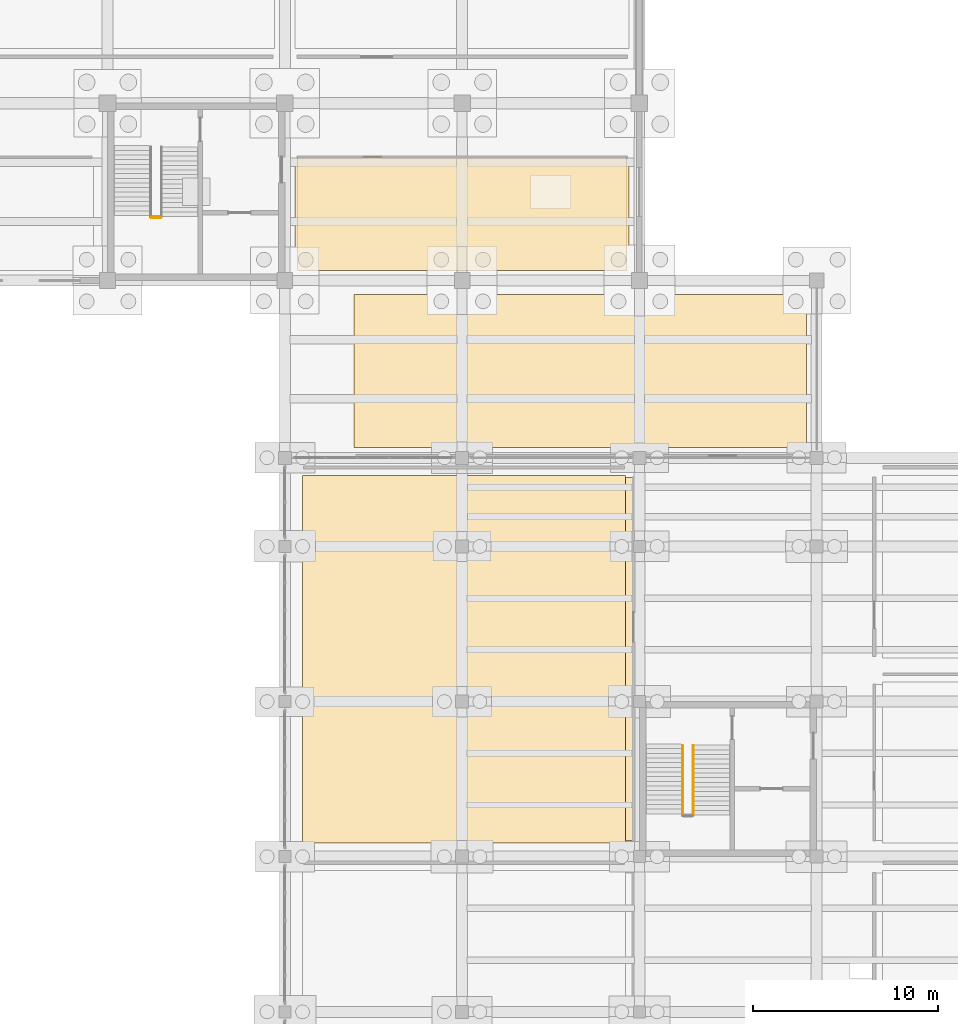
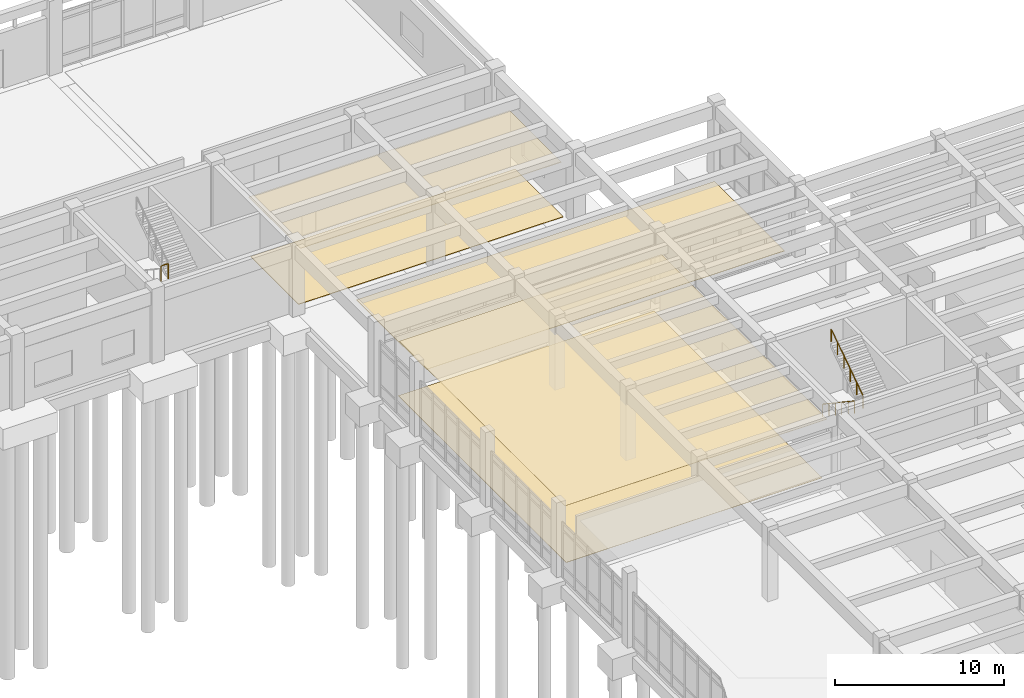
# One storey, part 100 of 102: 5 coverings, 3 railings.
"""IFC4 building model written with IfcOpenShell, lengths in metres."""

from ifc_helpers import new_model, si_unit, direction, frame, origin, origin_2d, place, context, subcontext, project, spatial, polyline, circle, outline, extrude, material, layer, layer_set, type_object, element, save


model = new_model("IFC4")

# Units and contexts
model_context = context("Model", 3, precision=1e-05, world=origin(), true_north=direction((0.0, 1.0)))
body_context = subcontext(model_context, "Body", "Model", "MODEL_VIEW")
ifc_project = project(units=[si_unit("LENGTHUNIT", "METRE"), si_unit("AREAUNIT", "SQUARE_METRE"), si_unit("VOLUMEUNIT", "CUBIC_METRE"), si_unit("PLANEANGLEUNIT", "RADIAN"), si_unit("MASSUNIT", "GRAM", prefix="KILO")], contexts=[model_context])

# Site, building, storey
site_placement = place(None, origin())
site = spatial("IfcSite", under=ifc_project, at=site_placement, CompositionType="ELEMENT")
building_placement = place(site_placement, origin())
building = spatial("IfcBuilding", under=site, at=building_placement, Name="Kolvemor Railside Polytechnic", CompositionType="ELEMENT")
storey_placement = place(building_placement, origin())
storey = spatial("IfcBuildingStorey", under=building, at=storey_placement, Name="L00", CompositionType="ELEMENT", Elevation=0.0)

# Coverings
ifc_material_1 = material(Name="Perforated acoustic mineral-fibre and timber-slat ceiling", Category="wood")
ifc_layer_1 = layer(ifc_material_1, 0.02490234375, Name="COV-CEIL-1")
ifc_layer_set_1 = layer_set([ifc_layer_1], Name="Perforated acoustic mineral-fibre and timber-slat ceiling")
covering_type_1 = type_object("IfcCoveringType", Name="COV-CEIL-1", PredefinedType="CEILING", material=ifc_layer_set_1)
covering_1_placement = place(storey_placement, frame((0.0, 0.0, 4.014892578125)))
element("IfcCovering", 1, at=covering_1_placement, inside=storey, type_object=covering_type_1, Name="Student Societies and Community Room Acoustic Ceiling", PredefinedType="CEILING", context=body_context, shape_type="SweptSolid", body=[
    extrude(outline(polyline([(135.35009765625, 60.8798828125), (153.280029296875, 60.8798828125), (153.280029296875, 80.52001953125), (135.35009765625, 80.52001953125), (135.35009765625, 60.8798828125)])), origin(), (0.0, 0.0, 1.0), 0.025146484375),
])
ifc_material_2 = material(Name="Perforated acoustic mineral-fibre and timber-slat ceiling", Category="wood")
ifc_layer_2 = layer(ifc_material_2, 0.0400390625, Name="COV-CEIL-4")
ifc_layer_set_2 = layer_set([ifc_layer_2], Name="Perforated acoustic mineral-fibre and timber-slat ceiling")
covering_type_2 = type_object("IfcCoveringType", Name="COV-CEIL-4", PredefinedType="CEILING", material=ifc_layer_set_2)
covering_2_placement = place(storey_placement, frame((0.0, 0.0, 4.0)))
element("IfcCovering", 2, at=covering_2_placement, inside=storey, type_object=covering_type_2, Name="Workshop Washrooms and Accessible WC L00-N Acoustic Ceiling", PredefinedType="CEILING", context=body_context, shape_type="SweptSolid", body=[
    extrude(outline(polyline([(135.080078125, 91.75), (152.919921875, 91.75), (152.919921875, 97.8798828125), (135.080078125, 97.8798828125), (135.080078125, 91.75)])), origin(), (0.0, 0.0, 1.0), 0.0400390625),
])
ifc_material_3 = material(Name="Polished coral-aggregate terrazzo and laboratory epoxy flooring")
ifc_layer_3 = layer(ifc_material_3, 0.02001953125, Name="COV-FLR-1")
ifc_layer_set_3 = layer_set([ifc_layer_3], Name="Polished coral-aggregate terrazzo and laboratory epoxy flooring")
covering_type_3 = type_object("IfcCoveringType", Name="COV-FLR-1", PredefinedType="FLOORING", material=ifc_layer_set_3)
covering_3_placement = place(storey_placement, origin())
element("IfcCovering", 3, at=covering_3_placement, inside=storey, type_object=covering_type_3, Name="Student Societies and Community Room Floor Finish", PredefinedType="FLOORING", context=body_context, shape_type="SweptSolid", body=[
    extrude(outline(polyline([(135.35009765625, 60.75), (152.85009765625, 60.75), (152.85009765625, 80.64990234375), (135.35009765625, 80.64990234375), (135.35009765625, 60.75)])), origin(), (0.0, 0.0, 1.0), 0.02001953125),
])
ifc_material_4 = material(Name="Polished coral-aggregate terrazzo and laboratory epoxy flooring")
ifc_layer_4 = layer(ifc_material_4, 0.02490234375, Name="COV-FLR-2")
ifc_layer_set_4 = layer_set([ifc_layer_4], Name="Polished coral-aggregate terrazzo and laboratory epoxy flooring")
covering_type_4 = type_object("IfcCoveringType", Name="COV-FLR-2", PredefinedType="FLOORING", material=ifc_layer_set_4)
covering_4_placement = place(storey_placement, origin())
element("IfcCovering", 4, at=covering_4_placement, inside=storey, type_object=covering_type_4, Name="Refectory Cold Store and Receiving Bay Floor Finish", PredefinedType="FLOORING", context=body_context, shape_type="SweptSolid", body=[
    extrude(outline(polyline([(138.14990234375, 82.14990234375), (162.64990234375, 82.14990234375), (162.64990234375, 90.449951171875), (138.14990234375, 90.449951171875), (138.14990234375, 82.14990234375)])), origin(), (0.0, 0.0, 1.0), 0.02490234375),
])
ifc_material_5 = material(Name="Polished coral-aggregate terrazzo and laboratory epoxy flooring")
ifc_layer_5 = layer(ifc_material_5, 0.034912109375, Name="COV-FLR-4")
ifc_layer_set_5 = layer_set([ifc_layer_5], Name="Polished coral-aggregate terrazzo and laboratory epoxy flooring")
covering_type_5 = type_object("IfcCoveringType", Name="COV-FLR-4", PredefinedType="FLOORING", material=ifc_layer_set_5)
covering_5_placement = place(storey_placement, origin())
element("IfcCovering", 5, at=covering_5_placement, inside=storey, type_object=covering_type_5, Name="Workshop Washrooms and Accessible WC L00-N Floor Finish", PredefinedType="FLOORING", context=body_context, shape_type="SweptSolid", body=[
    extrude(outline(polyline([(134.949951171875, 91.75), (153.050048828125, 91.75), (153.050048828125, 97.449951171875), (134.949951171875, 97.449951171875), (134.949951171875, 91.75)])), origin(), (0.0, 0.0, 1.0), 0.034912109375),
])

# Railings
ifc_material_6 = material(Name="AISI 316 marine stainless-steel balustrade guard", Category="steel")
railing_type_1 = type_object("IfcRailingType", Name="RLG-GUARD-1120", PredefinedType="BALUSTRADE", material=ifc_material_6)
railing_1_placement = place(storey_placement, frame((127.179931640625, 94.60009765625, 2.699951171875)))
element("IfcRailing", 6, at=railing_1_placement, inside=storey, type_object=railing_type_1, Name="ST-9 Half-Landing Slot Guard L00", PredefinedType="BALUSTRADE", context=body_context, shape_type="SweptSolid", body=[
    extrude(circle(Radius=0.02392578125, at=origin_2d()), frame((0.054931640625, 0.0, 1.09619140625), z_axis=(1.0, 0.0, 0.0), x_axis=(0.0, 1.0, 0.0)), (0.0, 0.0, 1.0), 0.389892578125),
    extrude(circle(Radius=0.02099609375, at=origin_2d()), origin(), (0.0, 0.0, 1.0), 1.05712890625),
    extrude(circle(Radius=0.02099609375, at=origin_2d()), frame((0.5, 0.0, 0.0)), (0.0, 0.0, 1.0), 1.05712890625),
])
ifc_material_7 = material(Name="Brushed AISI 316 stainless-steel stair handrail", Category="steel")
railing_type_2 = type_object("IfcRailingType", Name="RLG-HANDRAIL-920", PredefinedType="HANDRAIL", material=ifc_material_7)
railing_2_placement = place(storey_placement, frame((155.93994140625, 66.02001953125, 0.168701171875)))
element("IfcRailing", 7, at=railing_2_placement, inside=storey, type_object=railing_type_2, Name="ST-7 Flight 1 Handrail L00", PredefinedType="HANDRAIL", context=body_context, shape_type="SweptSolid", body=[
    extrude(circle(Radius=0.02392578125, at=origin_2d()), frame((0.0, -0.045654296875, 0.926513671875), z_axis=(0.0, -0.830909170722, 0.55640807867), x_axis=(1.0, 0.0, 0.0)), (0.0, 0.0, 1.0), 4.439208984375),
    extrude(circle(Radius=0.02099609375, at=origin_2d()), origin(), (0.0, 0.0, 1.0), 0.85693359375),
    extrude(circle(Radius=0.02099609375, at=origin_2d()), frame((0.0, -0.756103515625, 0.50634765625)), (0.0, 0.0, 1.0), 0.85693359375),
    extrude(circle(Radius=0.02099609375, at=origin_2d()), frame((0.0, -1.511962890625, 1.012451171875)), (0.0, 0.0, 1.0), 0.85693359375),
    extrude(circle(Radius=0.02099609375, at=origin_2d()), frame((0.0, -2.26806640625, 1.518798828125)), (0.0, 0.0, 1.0), 0.85693359375),
    extrude(circle(Radius=0.02099609375, at=origin_2d()), frame((0.0, -3.02392578125, 2.02490234375)), (0.0, 0.0, 1.0), 0.85693359375),
    extrude(circle(Radius=0.02099609375, at=origin_2d()), frame((0.0, -3.780029296875, 2.53125)), (0.0, 0.0, 1.0), 0.85693359375),
])
railing_3_placement = place(storey_placement, frame((156.52001953125, 62.239990234375, 2.86865234375)))
element("IfcRailing", 8, at=railing_3_placement, inside=storey, type_object=railing_type_2, Name="ST-7 Flight 2 Handrail L00", PredefinedType="HANDRAIL", context=body_context, shape_type="SweptSolid", body=[
    extrude(circle(Radius=0.02392578125, at=origin_2d()), frame((0.0, 0.045654296875, 0.926513671875), z_axis=(0.0, 0.830909170722, 0.55640807867), x_axis=(-1.0, 0.0, 0.0)), (0.0, 0.0, 1.0), 4.439208984375),
    extrude(circle(Radius=0.02099609375, at=origin_2d()), origin(), (0.0, 0.0, 1.0), 0.85693359375),
    extrude(circle(Radius=0.02099609375, at=origin_2d()), frame((0.0, 0.756103515625, 0.50634765625)), (0.0, 0.0, 1.0), 0.85693359375),
    extrude(circle(Radius=0.02099609375, at=origin_2d()), frame((0.0, 1.511962890625, 1.012451171875)), (0.0, 0.0, 1.0), 0.85693359375),
    extrude(circle(Radius=0.02099609375, at=origin_2d()), frame((0.0, 2.26806640625, 1.518798828125)), (0.0, 0.0, 1.0), 0.85693359375),
    extrude(circle(Radius=0.02099609375, at=origin_2d()), frame((0.0, 3.02392578125, 2.02490234375)), (0.0, 0.0, 1.0), 0.85693359375),
    extrude(circle(Radius=0.02099609375, at=origin_2d()), frame((0.0, 3.780029296875, 2.53125)), (0.0, 0.0, 1.0), 0.85693359375),
])

save(model, "model.ifc")
